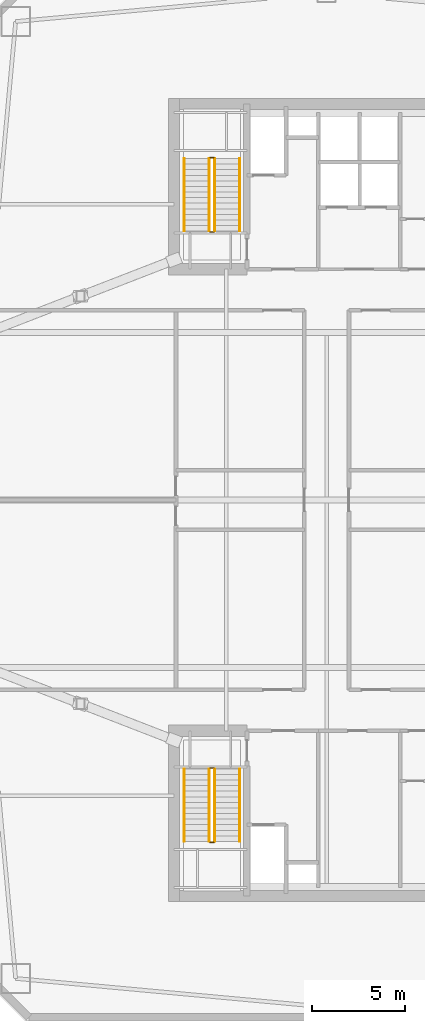
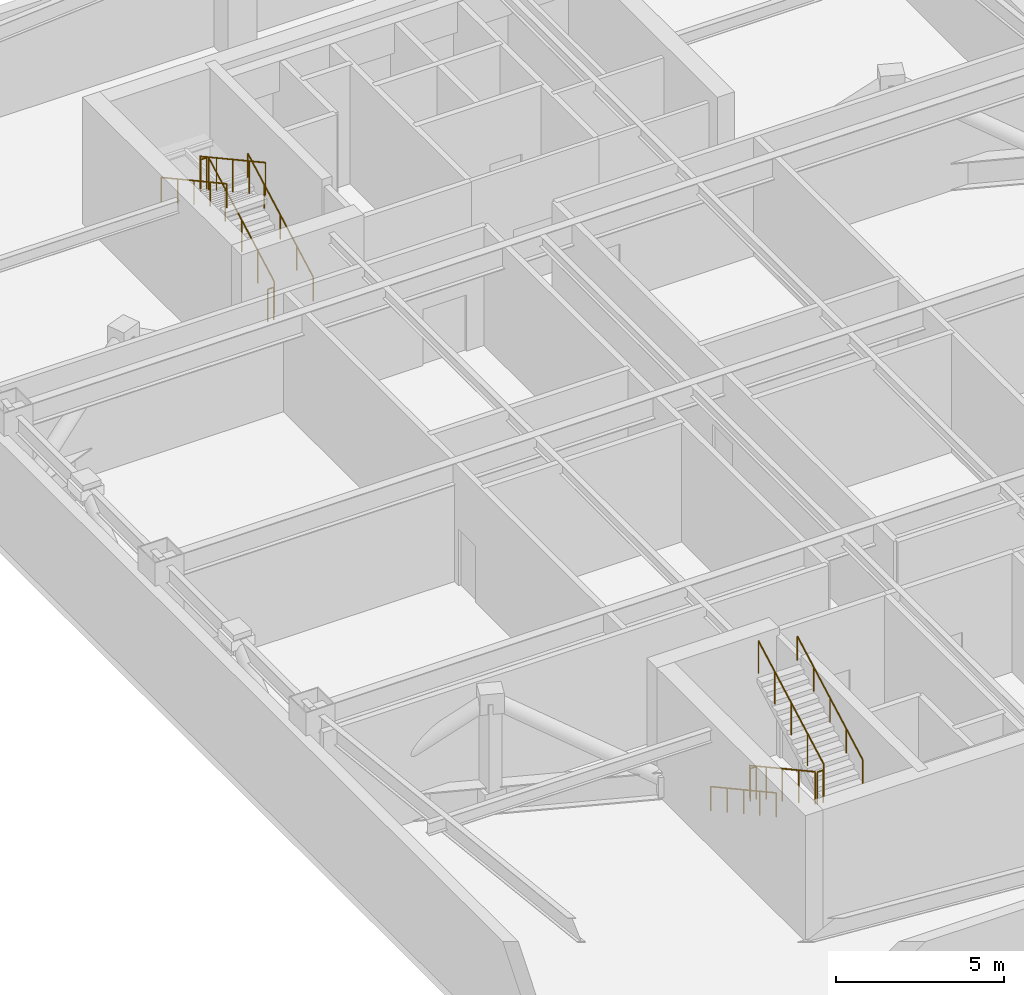
# One storey, part 13 of 14: 12 railings.
"""IFC4 building model written with IfcOpenShell, lengths in metres."""

from ifc_helpers import new_model, si_unit, direction, frame, origin, origin_2d, place, context, subcontext, project, spatial, circle, extrude, material, type_object, element, save


model = new_model("IFC4")

# Units and contexts
model_context = context("Model", 3, precision=1e-05, world=origin(), true_north=direction((0.0, 1.0)))
body_context = subcontext(model_context, "Body", "Model", "MODEL_VIEW")
ifc_project = project(units=[si_unit("LENGTHUNIT", "METRE"), si_unit("AREAUNIT", "SQUARE_METRE"), si_unit("VOLUMEUNIT", "CUBIC_METRE"), si_unit("PLANEANGLEUNIT", "RADIAN"), si_unit("MASSUNIT", "GRAM", prefix="KILO")], contexts=[model_context])

# Site, building, storey
site_placement = place(None, origin())
site = spatial("IfcSite", under=ifc_project, at=site_placement, CompositionType="ELEMENT")
building_placement = place(site_placement, origin())
building = spatial("IfcBuilding", under=site, at=building_placement, Name="Qiaolan Cultural Towers", CompositionType="ELEMENT")
storey_placement = place(building_placement, frame((0.0, 0.0, 138.0)))
storey = spatial("IfcBuildingStorey", under=building, at=storey_placement, Name="L36", CompositionType="ELEMENT", Elevation=138.0)

# Railings
ifc_material_1 = material(Name="Galvanized Painted Steel Stair Guardrail", Category="steel")
railing_type_1 = type_object("IfcRailingType", Name="RL-STAIR-GRD", PredefinedType="GUARDRAIL", material=ifc_material_1)
railing_1_placement = place(storey_placement, frame((23.68994140625, 19.550048828125, 0.164306640625)))
element("IfcRailing", 1, at=railing_1_placement, inside=storey, type_object=railing_type_1, Name="L36 ST-W1 stair guard 1", PredefinedType="GUARDRAIL", context=body_context, shape_type="SweptSolid", body=[
    extrude(circle(Radius=0.02392578125, at=origin_2d()), frame((0.0, 0.0, 1.17578125), z_axis=(0.0, -0.877101224295, 0.480305571839), x_axis=(1.0, 0.0, 0.0)), (0.0, 0.0, 1.0), 4.446533203125),
    extrude(circle(Radius=0.02099609375, at=origin_2d()), origin(), (0.0, 0.0, 1.0), 1.15185546875),
    extrude(circle(Radius=0.02099609375, at=origin_2d()), frame((0.0, -0.97509765625, 0.533935546875)), (0.0, 0.0, 1.0), 1.15185546875),
    extrude(circle(Radius=0.02099609375, at=origin_2d()), frame((0.0, -1.9501953125, 1.06787109375)), (0.0, 0.0, 1.0), 1.15185546875),
    extrude(circle(Radius=0.02099609375, at=origin_2d()), frame((0.0, -2.925048828125, 1.601806640625)), (0.0, 0.0, 1.0), 1.15185546875),
    extrude(circle(Radius=0.02099609375, at=origin_2d()), frame((0.0, -3.900146484375, 2.1357421875)), (0.0, 0.0, 1.0), 1.15185546875),
])
railing_2_placement = place(storey_placement, frame((23.739990234375, 15.60009765625, 2.300048828125)))
element("IfcRailing", 2, at=railing_2_placement, inside=storey, type_object=railing_type_1, Name="L36 ST-W1 stair guard 2", PredefinedType="GUARDRAIL", context=body_context, shape_type="SweptSolid", body=[
    extrude(circle(Radius=0.02392578125, at=origin_2d()), frame((0.0, 0.0, 1.17578125), z_axis=(1.0, 0.0, 0.0), x_axis=(0.0, 1.0, 0.0)), (0.0, 0.0, 1.0), 0.199951171875),
    extrude(circle(Radius=0.02099609375, at=origin_2d()), origin(), (0.0, 0.0, 1.0), 1.15185546875),
    extrude(circle(Radius=0.02099609375, at=origin_2d()), frame((0.199951171875, 0.0, 0.0)), (0.0, 0.0, 1.0), 1.15185546875),
])
railing_3_placement = place(storey_placement, frame((23.989990234375, 15.64990234375, 2.46435546875)))
element("IfcRailing", 3, at=railing_3_placement, inside=storey, type_object=railing_type_1, Name="L36 ST-W1 stair guard 3", PredefinedType="GUARDRAIL", context=body_context, shape_type="SweptSolid", body=[
    extrude(circle(Radius=0.02392578125, at=origin_2d()), frame((0.0, 0.0, 1.17578125), z_axis=(0.0, 0.877101224295, 0.480305571839), x_axis=(-1.0, 0.0, 0.0)), (0.0, 0.0, 1.0), 4.446533203125),
    extrude(circle(Radius=0.02099609375, at=origin_2d()), origin(), (0.0, 0.0, 1.0), 1.15185546875),
    extrude(circle(Radius=0.02099609375, at=origin_2d()), frame((0.0, 0.97509765625, 0.533935546875)), (0.0, 0.0, 1.0), 1.15185546875),
    extrude(circle(Radius=0.02099609375, at=origin_2d()), frame((0.0, 1.9501953125, 1.06787109375)), (0.0, 0.0, 1.0), 1.15185546875),
    extrude(circle(Radius=0.02099609375, at=origin_2d()), frame((0.0, 2.925048828125, 1.601806640625)), (0.0, 0.0, 1.0), 1.15185546875),
    extrude(circle(Radius=0.02099609375, at=origin_2d()), frame((0.0, 3.900146484375, 2.1357421875)), (0.0, 0.0, 1.0), 1.15185546875),
])
railing_4_placement = place(storey_placement, frame((23.739990234375, 19.60009765625, 0.0)))
element("IfcRailing", 4, at=railing_4_placement, inside=storey, type_object=railing_type_1, Name="L36 ST-W1 stair guard 4", PredefinedType="GUARDRAIL", context=body_context, shape_type="SweptSolid", body=[
    extrude(circle(Radius=0.02392578125, at=origin_2d()), frame((0.0, 0.0, 1.17578125), z_axis=(1.0, 0.0, 0.0), x_axis=(0.0, 1.0, 0.0)), (0.0, 0.0, 1.0), 0.199951171875),
    extrude(circle(Radius=0.02099609375, at=origin_2d()), origin(), (0.0, 0.0, 1.0), 1.15185546875),
    extrude(circle(Radius=0.02099609375, at=origin_2d()), frame((0.199951171875, 0.0, 0.0)), (0.0, 0.0, 1.0), 1.15185546875),
])
railing_5_placement = place(storey_placement, frame((23.989990234375, 48.449951171875, 0.164306640625)))
element("IfcRailing", 5, at=railing_5_placement, inside=storey, type_object=railing_type_1, Name="L36 ST-W2 stair guard 1", PredefinedType="GUARDRAIL", context=body_context, shape_type="SweptSolid", body=[
    extrude(circle(Radius=0.02392578125, at=origin_2d()), frame((0.0, 0.0, 1.17578125), z_axis=(0.0, 0.877101224295, 0.480305571839), x_axis=(-1.0, 0.0, 0.0)), (0.0, 0.0, 1.0), 4.446533203125),
    extrude(circle(Radius=0.02099609375, at=origin_2d()), origin(), (0.0, 0.0, 1.0), 1.15185546875),
    extrude(circle(Radius=0.02099609375, at=origin_2d()), frame((0.0, 0.97509765625, 0.533935546875)), (0.0, 0.0, 1.0), 1.15185546875),
    extrude(circle(Radius=0.02099609375, at=origin_2d()), frame((0.0, 1.9501953125, 1.06787109375)), (0.0, 0.0, 1.0), 1.15185546875),
    extrude(circle(Radius=0.02099609375, at=origin_2d()), frame((0.0, 2.925048828125, 1.601806640625)), (0.0, 0.0, 1.0), 1.15185546875),
    extrude(circle(Radius=0.02099609375, at=origin_2d()), frame((0.0, 3.900146484375, 2.1357421875)), (0.0, 0.0, 1.0), 1.15185546875),
])
railing_6_placement = place(storey_placement, frame((23.93994140625, 52.39990234375, 2.300048828125)))
element("IfcRailing", 6, at=railing_6_placement, inside=storey, type_object=railing_type_1, Name="L36 ST-W2 stair guard 2", PredefinedType="GUARDRAIL", context=body_context, shape_type="SweptSolid", body=[
    extrude(circle(Radius=0.02392578125, at=origin_2d()), frame((0.0, 0.0, 1.17578125), z_axis=(-1.0, 0.0, 0.0), x_axis=(0.0, -1.0, 0.0)), (0.0, 0.0, 1.0), 0.199951171875),
    extrude(circle(Radius=0.02099609375, at=origin_2d()), origin(), (0.0, 0.0, 1.0), 1.15185546875),
    extrude(circle(Radius=0.02099609375, at=origin_2d()), frame((-0.199951171875, 0.0, 0.0)), (0.0, 0.0, 1.0), 1.15185546875),
])
railing_7_placement = place(storey_placement, frame((23.68994140625, 52.35009765625, 2.46435546875)))
element("IfcRailing", 7, at=railing_7_placement, inside=storey, type_object=railing_type_1, Name="L36 ST-W2 stair guard 3", PredefinedType="GUARDRAIL", context=body_context, shape_type="SweptSolid", body=[
    extrude(circle(Radius=0.02392578125, at=origin_2d()), frame((0.0, 0.0, 1.17578125), z_axis=(0.0, -0.877101224295, 0.480305571839), x_axis=(1.0, 0.0, 0.0)), (0.0, 0.0, 1.0), 4.446533203125),
    extrude(circle(Radius=0.02099609375, at=origin_2d()), origin(), (0.0, 0.0, 1.0), 1.15185546875),
    extrude(circle(Radius=0.02099609375, at=origin_2d()), frame((0.0, -0.97509765625, 0.533935546875)), (0.0, 0.0, 1.0), 1.15185546875),
    extrude(circle(Radius=0.02099609375, at=origin_2d()), frame((0.0, -1.9501953125, 1.06787109375)), (0.0, 0.0, 1.0), 1.15185546875),
    extrude(circle(Radius=0.02099609375, at=origin_2d()), frame((0.0, -2.925048828125, 1.601806640625)), (0.0, 0.0, 1.0), 1.15185546875),
    extrude(circle(Radius=0.02099609375, at=origin_2d()), frame((0.0, -3.900146484375, 2.1357421875)), (0.0, 0.0, 1.0), 1.15185546875),
])
railing_8_placement = place(storey_placement, frame((23.93994140625, 48.39990234375, 0.0)))
element("IfcRailing", 8, at=railing_8_placement, inside=storey, type_object=railing_type_1, Name="L36 ST-W2 stair guard 4", PredefinedType="GUARDRAIL", context=body_context, shape_type="SweptSolid", body=[
    extrude(circle(Radius=0.02392578125, at=origin_2d()), frame((0.0, 0.0, 1.17578125), z_axis=(-1.0, 0.0, 0.0), x_axis=(0.0, -1.0, 0.0)), (0.0, 0.0, 1.0), 0.199951171875),
    extrude(circle(Radius=0.02099609375, at=origin_2d()), origin(), (0.0, 0.0, 1.0), 1.15185546875),
    extrude(circle(Radius=0.02099609375, at=origin_2d()), frame((-0.199951171875, 0.0, 0.0)), (0.0, 0.0, 1.0), 1.15185546875),
])
ifc_material_2 = material(Name="Stainless Steel S30408 Tubular Handrail", Category="steel")
railing_type_2 = type_object("IfcRailingType", Name="RL-STAIR-HR", PredefinedType="HANDRAIL", material=ifc_material_2)
railing_9_placement = place(storey_placement, frame((22.35009765625, 19.550048828125, 0.164306640625)))
element("IfcRailing", 9, at=railing_9_placement, inside=storey, type_object=railing_type_2, Name="L36 ST-W1 stair handrail 1", PredefinedType="HANDRAIL", context=body_context, shape_type="SweptSolid", body=[
    extrude(circle(Radius=0.02392578125, at=origin_2d()), frame((0.0, 0.0, 0.8759765625), z_axis=(0.0, -0.877101224295, 0.480305571839), x_axis=(1.0, 0.0, 0.0)), (0.0, 0.0, 1.0), 4.446533203125),
    extrude(circle(Radius=0.02099609375, at=origin_2d()), origin(), (0.0, 0.0, 1.0), 0.851806640625),
    extrude(circle(Radius=0.02099609375, at=origin_2d()), frame((0.0, -0.97509765625, 0.533935546875)), (0.0, 0.0, 1.0), 0.851806640625),
    extrude(circle(Radius=0.02099609375, at=origin_2d()), frame((0.0, -1.9501953125, 1.06787109375)), (0.0, 0.0, 1.0), 0.851806640625),
    extrude(circle(Radius=0.02099609375, at=origin_2d()), frame((0.0, -2.925048828125, 1.601806640625)), (0.0, 0.0, 1.0), 0.851806640625),
    extrude(circle(Radius=0.02099609375, at=origin_2d()), frame((0.0, -3.900146484375, 2.1357421875)), (0.0, 0.0, 1.0), 0.851806640625),
])
for number, where, name in (
    (10, (25.330078125, 15.64990234375, 2.46435546875), "L36 ST-W1 stair handrail 2"),
    (11, (25.330078125, 48.449951171875, 0.164306640625), "L36 ST-W2 stair handrail 1"),
):
    element("IfcRailing", number, at=place(storey_placement, frame(where)), inside=storey, type_object=railing_type_2, Name=name, PredefinedType="HANDRAIL", context=body_context, shape_type="SweptSolid", body=[
        extrude(circle(Radius=0.02392578125, at=origin_2d()), frame((0.0, 0.0, 0.8759765625), z_axis=(0.0, 0.877101224295, 0.480305571839), x_axis=(-1.0, 0.0, 0.0)), (0.0, 0.0, 1.0), 4.446533203125),
        extrude(circle(Radius=0.02099609375, at=origin_2d()), origin(), (0.0, 0.0, 1.0), 0.851806640625),
        extrude(circle(Radius=0.02099609375, at=origin_2d()), frame((0.0, 0.97509765625, 0.533935546875)), (0.0, 0.0, 1.0), 0.851806640625),
        extrude(circle(Radius=0.02099609375, at=origin_2d()), frame((0.0, 1.9501953125, 1.06787109375)), (0.0, 0.0, 1.0), 0.851806640625),
        extrude(circle(Radius=0.02099609375, at=origin_2d()), frame((0.0, 2.925048828125, 1.601806640625)), (0.0, 0.0, 1.0), 0.851806640625),
        extrude(circle(Radius=0.02099609375, at=origin_2d()), frame((0.0, 3.900146484375, 2.1357421875)), (0.0, 0.0, 1.0), 0.851806640625),
    ])
railing_10_placement = place(storey_placement, frame((22.35009765625, 52.35009765625, 2.46435546875)))
element("IfcRailing", 12, at=railing_10_placement, inside=storey, type_object=railing_type_2, Name="L36 ST-W2 stair handrail 2", PredefinedType="HANDRAIL", context=body_context, shape_type="SweptSolid", body=[
    extrude(circle(Radius=0.02392578125, at=origin_2d()), frame((0.0, 0.0, 0.8759765625), z_axis=(0.0, -0.877101224295, 0.480305571839), x_axis=(1.0, 0.0, 0.0)), (0.0, 0.0, 1.0), 4.446533203125),
    extrude(circle(Radius=0.02099609375, at=origin_2d()), origin(), (0.0, 0.0, 1.0), 0.851806640625),
    extrude(circle(Radius=0.02099609375, at=origin_2d()), frame((0.0, -0.97509765625, 0.533935546875)), (0.0, 0.0, 1.0), 0.851806640625),
    extrude(circle(Radius=0.02099609375, at=origin_2d()), frame((0.0, -1.9501953125, 1.06787109375)), (0.0, 0.0, 1.0), 0.851806640625),
    extrude(circle(Radius=0.02099609375, at=origin_2d()), frame((0.0, -2.925048828125, 1.601806640625)), (0.0, 0.0, 1.0), 0.851806640625),
    extrude(circle(Radius=0.02099609375, at=origin_2d()), frame((0.0, -3.900146484375, 2.1357421875)), (0.0, 0.0, 1.0), 0.851806640625),
])

save(model, "model.ifc")
